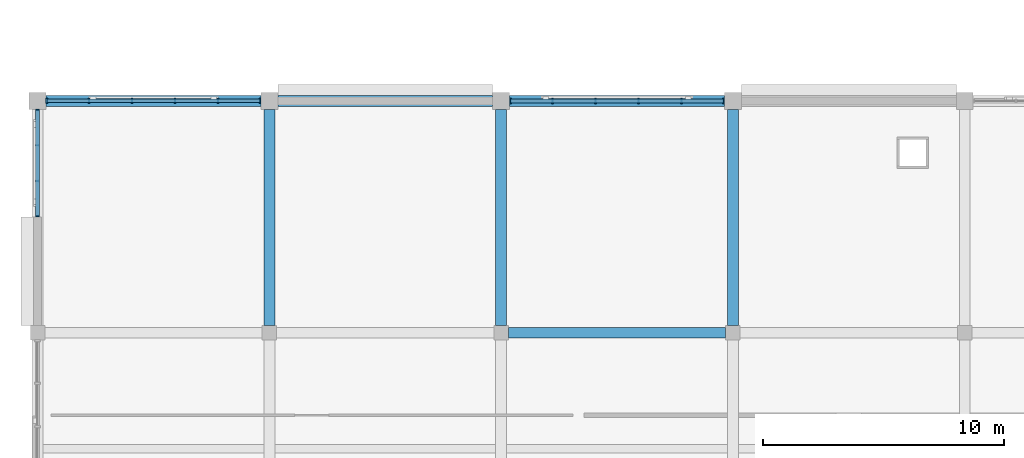
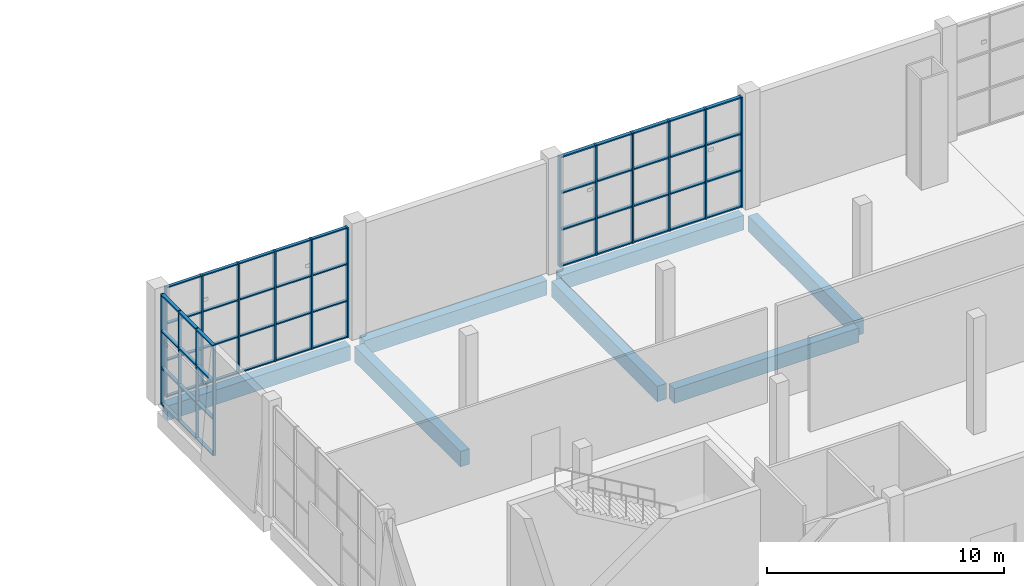
# One storey, part 4 of 84: 28 members, 7 beams, 3 elements without a shape of their own.
"""IFC4 building model written with IfcOpenShell, lengths in metres."""

from ifc_helpers import new_model, si_unit, direction, frame, origin, origin_2d, place, context, subcontext, project, spatial, rectangle, extrude, material, material_profile, profile_set, type_object, element, aggregate, save


model = new_model("IFC4")

# Units and contexts
model_context = context("Model", 3, precision=1e-05, world=origin(), true_north=direction((0.0, 1.0)))
body_context = subcontext(model_context, "Body", "Model", "MODEL_VIEW")
ifc_project = project(units=[si_unit("LENGTHUNIT", "METRE"), si_unit("AREAUNIT", "SQUARE_METRE"), si_unit("VOLUMEUNIT", "CUBIC_METRE"), si_unit("PLANEANGLEUNIT", "RADIAN"), si_unit("MASSUNIT", "GRAM", prefix="KILO")], contexts=[model_context])

# Site, building, storey
site_placement = place(None, origin())
site = spatial("IfcSite", under=ifc_project, at=site_placement, CompositionType="ELEMENT")
building_placement = place(site_placement, origin())
building = spatial("IfcBuilding", under=site, at=building_placement, Name="Shalvenor Court Art Gallery", CompositionType="ELEMENT")
storey_placement = place(building_placement, origin())
storey = spatial("IfcBuildingStorey", under=building, at=storey_placement, Name="L00", CompositionType="ELEMENT", Elevation=0.0)

# Beams
ifc_material_1 = material(Name="Concrete C40/50", Category="concrete")
ifc_material_profile_1 = material_profile(ifc_material_1, rectangle(XDim=0.449951171875, YDim=0.800048828125, at=origin_2d()), Name="RC 450x800")
ifc_profile_set_1 = profile_set([ifc_material_profile_1], Name="Concrete C40/50")
beam_type_1 = type_object("IfcBeamType", Name="B-03", PredefinedType="BEAM", material=ifc_profile_set_1)
for number, where, z_axis, x_axis, name in (
    (1, (9.60009765625, 19.5, -0.739990234375), (0.0, 1.0, 0.0), (-1.0, 0.0, 0.0), "L00 Girder BM-L00-B-03-0011"),
    (2, (19.199951171875, 19.5, -0.739990234375), (0.0, 1.0, 0.0), (-1.0, 0.0, 0.0), "L00 Girder BM-L00-B-03-0020"),
    (3, (28.800048828125, 19.5, -0.739990234375), (0.0, 1.0, 0.0), (-1.0, 0.0, 0.0), "L00 Girder BM-L00-B-03-0025"),
):
    element("IfcBeam", number, at=place(storey_placement, frame(where, z_axis=z_axis, x_axis=x_axis)), inside=storey, type_object=beam_type_1, Name=name, PredefinedType="BEAM", context=body_context, shape_type="SweptSolid", body=[
        extrude(rectangle(XDim=0.449951171875, YDim=0.800048828125, at=origin_2d()), origin(), (0.0, 0.0, 1.0), 8.949951171875),
    ])
ifc_material_2 = material(Name="Concrete C40/50", Category="concrete")
ifc_material_profile_2 = material_profile(ifc_material_2, rectangle(XDim=0.449951171875, YDim=0.75, at=origin_2d()), Name="RC 450x750")
ifc_profile_set_2 = profile_set([ifc_material_profile_2], Name="Concrete C40/50")
beam_type_2 = type_object("IfcBeamType", Name="B-04", PredefinedType="BEAM", material=ifc_profile_set_2)
beam_1_placement = place(storey_placement, frame((19.5, 19.199951171875, -0.715087890625), z_axis=(1.0, 0.0, 0.0), x_axis=(0.0, 1.0, 0.0)))
element("IfcBeam", 4, at=beam_1_placement, inside=storey, type_object=beam_type_2, Name="L00 Girder BM-L00-B-04-0159", PredefinedType="BEAM", context=body_context, shape_type="SweptSolid", body=[
    extrude(rectangle(XDim=0.449951171875, YDim=0.75, at=origin_2d()), origin(), (0.0, 0.0, 1.0), 9.0),
])
beam_2_placement = place(storey_placement, frame((0.35009765625, 28.800048828125, -0.715087890625), z_axis=(1.0, 0.0, 0.0), x_axis=(0.0, 1.0, 0.0)))
element("IfcBeam", 5, at=beam_2_placement, inside=storey, type_object=beam_type_2, Name="L00 Girder BM-L00-B-04-0170", PredefinedType="BEAM", context=body_context, shape_type="SweptSolid", body=[
    extrude(rectangle(XDim=0.449951171875, YDim=0.75, at=origin_2d()), origin(), (0.0, 0.0, 1.0), 8.89990234375),
])
beam_3_placement = place(storey_placement, frame((9.949951171875, 28.800048828125, -0.715087890625), z_axis=(1.0, 0.0, 0.0), x_axis=(0.0, 1.0, 0.0)))
element("IfcBeam", 6, at=beam_3_placement, inside=storey, type_object=beam_type_2, Name="L00 Girder BM-L00-B-04-0171", PredefinedType="BEAM", context=body_context, shape_type="SweptSolid", body=[
    extrude(rectangle(XDim=0.449951171875, YDim=0.75, at=origin_2d()), origin(), (0.0, 0.0, 1.0), 8.900146484375),
])
beam_4_placement = place(storey_placement, frame((19.550048828125, 28.800048828125, -0.715087890625), z_axis=(1.0, 0.0, 0.0), x_axis=(0.0, 1.0, 0.0)))
element("IfcBeam", 7, at=beam_4_placement, inside=storey, type_object=beam_type_2, Name="L00 Girder BM-L00-B-04-0172", PredefinedType="BEAM", context=body_context, shape_type="SweptSolid", body=[
    extrude(rectangle(XDim=0.449951171875, YDim=0.75, at=origin_2d()), origin(), (0.0, 0.0, 1.0), 8.89990234375),
])

# Curtain wall, members
ifc_material_3 = material(Name="Anodised aluminium and low-iron glass curtain wall", Category="aluminium")
curtain_wall_type_1 = type_object("IfcCurtainWallType", Name="CW-5x3-89-57-211", PredefinedType="USERDEFINED", material=ifc_material_3)
curtain_wall_1_placement = place(storey_placement, origin())
curtain_wall_1 = element("IfcCurtainWall", 8, at=curtain_wall_1_placement, inside=storey, type_object=curtain_wall_type_1, Name="L00 V4 Curtain Wall CW-L00-117", ObjectType="CURTAIN WALL", PredefinedType="USERDEFINED")
ifc_material_4 = material(Name="Anodised aluminium mullion", Category="aluminium")
ifc_material_profile_3 = material_profile(ifc_material_4, rectangle(XDim=0.070068359375, YDim=0.199951171875, at=origin_2d()), Name="CWM-02")
ifc_profile_set_3 = profile_set([ifc_material_profile_3], Name="Anodised aluminium mullion")
member_type_1 = type_object("IfcMemberType", Name="CWM-02", PredefinedType="MULLION", material=ifc_profile_set_3)
member_1_placement = place(storey_placement, frame((0.385009765625, 28.800048828125, 0.0), z_axis=(0.0, 0.0, 1.0), x_axis=(1.0, 0.0, 0.0)))
member_1 = element("IfcMember", 9, at=member_1_placement, type_object=member_type_1, Name="CW-5x3-89-57-211 mullion 1", PredefinedType="MULLION", context=body_context, shape_type="SweptSolid", body=[
    extrude(rectangle(XDim=0.070068359375, YDim=0.199951171875, at=origin_2d()), origin(), (0.0, 0.0, 1.0), 5.679931640625),
])
member_2_placement = place(storey_placement, frame((2.1298828125, 28.800048828125, 0.0), z_axis=(0.0, 0.0, 1.0), x_axis=(1.0, 0.0, 0.0)))
member_2 = element("IfcMember", 10, at=member_2_placement, type_object=member_type_1, Name="CW-5x3-89-57-211 mullion 2", PredefinedType="MULLION", context=body_context, shape_type="SweptSolid", body=[
    extrude(rectangle(XDim=0.070068359375, YDim=0.199951171875, at=origin_2d()), origin(), (0.0, 0.0, 1.0), 5.679931640625),
])
member_3_placement = place(storey_placement, frame((3.909912109375, 28.800048828125, 0.0), z_axis=(0.0, 0.0, 1.0), x_axis=(1.0, 0.0, 0.0)))
member_3 = element("IfcMember", 11, at=member_3_placement, type_object=member_type_1, Name="CW-5x3-89-57-211 mullion 3", PredefinedType="MULLION", context=body_context, shape_type="SweptSolid", body=[
    extrude(rectangle(XDim=0.070068359375, YDim=0.199951171875, at=origin_2d()), origin(), (0.0, 0.0, 1.0), 5.679931640625),
])
member_4_placement = place(storey_placement, frame((5.68994140625, 28.800048828125, 0.0), z_axis=(0.0, 0.0, 1.0), x_axis=(1.0, 0.0, 0.0)))
member_4 = element("IfcMember", 12, at=member_4_placement, type_object=member_type_1, Name="CW-5x3-89-57-211 mullion 4", PredefinedType="MULLION", context=body_context, shape_type="SweptSolid", body=[
    extrude(rectangle(XDim=0.070068359375, YDim=0.199951171875, at=origin_2d()), origin(), (0.0, 0.0, 1.0), 5.679931640625),
])
member_5_placement = place(storey_placement, frame((7.469970703125, 28.800048828125, 0.0), z_axis=(0.0, 0.0, 1.0), x_axis=(1.0, 0.0, 0.0)))
member_5 = element("IfcMember", 13, at=member_5_placement, type_object=member_type_1, Name="CW-5x3-89-57-211 mullion 5", PredefinedType="MULLION", context=body_context, shape_type="SweptSolid", body=[
    extrude(rectangle(XDim=0.070068359375, YDim=0.199951171875, at=origin_2d()), origin(), (0.0, 0.0, 1.0), 5.679931640625),
])
member_6_placement = place(storey_placement, frame((9.215087890625, 28.800048828125, 0.0), z_axis=(0.0, 0.0, 1.0), x_axis=(1.0, 0.0, 0.0)))
member_6 = element("IfcMember", 14, at=member_6_placement, type_object=member_type_1, Name="CW-5x3-89-57-211 mullion 6", PredefinedType="MULLION", context=body_context, shape_type="SweptSolid", body=[
    extrude(rectangle(XDim=0.070068359375, YDim=0.199951171875, at=origin_2d()), origin(), (0.0, 0.0, 1.0), 5.679931640625),
])

ifc_material_5 = material(Name="Anodised aluminium and low-iron glass curtain wall", Category="aluminium")
curtain_wall_type_2 = type_object("IfcCurtainWallType", Name="CW-5x3-89-57-421", PredefinedType="USERDEFINED", material=ifc_material_5)
curtain_wall_2_placement = place(storey_placement, origin())
curtain_wall_2 = element("IfcCurtainWall", 15, at=curtain_wall_2_placement, inside=storey, type_object=curtain_wall_type_2, Name="L00 V4 Curtain Wall CW-L00-118", ObjectType="CURTAIN WALL", PredefinedType="USERDEFINED")
ifc_material_6 = material(Name="Anodised aluminium mullion", Category="aluminium")
ifc_material_profile_4 = material_profile(ifc_material_6, rectangle(XDim=0.074951171875, YDim=0.219970703125, at=origin_2d()), Name="CWM-04")
ifc_profile_set_4 = profile_set([ifc_material_profile_4], Name="Anodised aluminium mullion")
member_type_2 = type_object("IfcMemberType", Name="CWM-04", PredefinedType="MULLION", material=ifc_profile_set_4)
member_7_placement = place(storey_placement, frame((19.58740234375, 28.800048828125, 0.0), z_axis=(0.0, 0.0, 1.0), x_axis=(1.0, 0.0, 0.0)))
member_7 = element("IfcMember", 16, at=member_7_placement, type_object=member_type_2, Name="CW-5x3-89-57-421 mullion 1", PredefinedType="MULLION", context=body_context, shape_type="SweptSolid", body=[
    extrude(rectangle(XDim=0.074951171875, YDim=0.219970703125, at=origin_2d()), origin(), (0.0, 0.0, 1.0), 5.679931640625),
])
member_8_placement = place(storey_placement, frame((21.330078125, 28.800048828125, 0.0), z_axis=(0.0, 0.0, 1.0), x_axis=(1.0, 0.0, 0.0)))
member_8 = element("IfcMember", 17, at=member_8_placement, type_object=member_type_2, Name="CW-5x3-89-57-421 mullion 2", PredefinedType="MULLION", context=body_context, shape_type="SweptSolid", body=[
    extrude(rectangle(XDim=0.074951171875, YDim=0.219970703125, at=origin_2d()), origin(), (0.0, 0.0, 1.0), 5.679931640625),
])
member_9_placement = place(storey_placement, frame((23.110107421875, 28.800048828125, 0.0), z_axis=(0.0, 0.0, 1.0), x_axis=(1.0, 0.0, 0.0)))
member_9 = element("IfcMember", 18, at=member_9_placement, type_object=member_type_2, Name="CW-5x3-89-57-421 mullion 3", PredefinedType="MULLION", context=body_context, shape_type="SweptSolid", body=[
    extrude(rectangle(XDim=0.074951171875, YDim=0.219970703125, at=origin_2d()), origin(), (0.0, 0.0, 1.0), 5.679931640625),
])
member_10_placement = place(storey_placement, frame((24.889892578125, 28.800048828125, 0.0), z_axis=(0.0, 0.0, 1.0), x_axis=(1.0, 0.0, 0.0)))
member_10 = element("IfcMember", 19, at=member_10_placement, type_object=member_type_2, Name="CW-5x3-89-57-421 mullion 4", PredefinedType="MULLION", context=body_context, shape_type="SweptSolid", body=[
    extrude(rectangle(XDim=0.074951171875, YDim=0.219970703125, at=origin_2d()), origin(), (0.0, 0.0, 1.0), 5.679931640625),
])
member_11_placement = place(storey_placement, frame((26.669921875, 28.800048828125, 0.0), z_axis=(0.0, 0.0, 1.0), x_axis=(1.0, 0.0, 0.0)))
member_11 = element("IfcMember", 20, at=member_11_placement, type_object=member_type_2, Name="CW-5x3-89-57-421 mullion 5", PredefinedType="MULLION", context=body_context, shape_type="SweptSolid", body=[
    extrude(rectangle(XDim=0.074951171875, YDim=0.219970703125, at=origin_2d()), origin(), (0.0, 0.0, 1.0), 5.679931640625),
])
member_12_placement = place(storey_placement, frame((28.41259765625, 28.800048828125, 0.0), z_axis=(0.0, 0.0, 1.0), x_axis=(1.0, 0.0, 0.0)))
member_12 = element("IfcMember", 21, at=member_12_placement, type_object=member_type_2, Name="CW-5x3-89-57-421 mullion 6", PredefinedType="MULLION", context=body_context, shape_type="SweptSolid", body=[
    extrude(rectangle(XDim=0.074951171875, YDim=0.219970703125, at=origin_2d()), origin(), (0.0, 0.0, 1.0), 5.679931640625),
])

ifc_material_7 = material(Name="Anodised aluminium and low-iron glass curtain wall", Category="aluminium")
curtain_wall_type_3 = type_object("IfcCurtainWallType", Name="CW-3x3-44-57-621", PredefinedType="USERDEFINED", material=ifc_material_7)
curtain_wall_3_placement = place(storey_placement, origin())
curtain_wall_3 = element("IfcCurtainWall", 22, at=curtain_wall_3_placement, inside=storey, type_object=curtain_wall_type_3, Name="L00 V4 Curtain Wall CW-L00-127", ObjectType="CURTAIN WALL", PredefinedType="USERDEFINED")
ifc_material_8 = material(Name="Anodised aluminium mullion", Category="aluminium")
ifc_material_profile_5 = material_profile(ifc_material_8, rectangle(XDim=0.054931640625, YDim=0.139892578125, at=origin_2d()), Name="CWM-06")
ifc_profile_set_5 = profile_set([ifc_material_profile_5], Name="Anodised aluminium mullion")
member_type_3 = type_object("IfcMemberType", Name="CWM-06", PredefinedType="MULLION", material=ifc_profile_set_5)
member_13_placement = place(storey_placement, frame((0.0, 24.027587890625, 0.0), z_axis=(0.0, 0.0, 1.0), x_axis=(0.0, 1.0, 0.0)))
member_13 = element("IfcMember", 23, at=member_13_placement, type_object=member_type_3, Name="CW-3x3-44-57-621 mullion 1", PredefinedType="MULLION", context=body_context, shape_type="SweptSolid", body=[
    extrude(rectangle(XDim=0.054931640625, YDim=0.139892578125, at=origin_2d()), origin(), (0.0, 0.0, 1.0), 5.679931640625),
])
member_14_placement = place(storey_placement, frame((0.0, 25.4833984375, 0.0), z_axis=(0.0, 0.0, 1.0), x_axis=(0.0, 1.0, 0.0)))
member_14 = element("IfcMember", 24, at=member_14_placement, type_object=member_type_3, Name="CW-3x3-44-57-621 mullion 2", PredefinedType="MULLION", context=body_context, shape_type="SweptSolid", body=[
    extrude(rectangle(XDim=0.054931640625, YDim=0.139892578125, at=origin_2d()), origin(), (0.0, 0.0, 1.0), 5.679931640625),
])
member_15_placement = place(storey_placement, frame((0.0, 26.966552734375, 0.0), z_axis=(0.0, 0.0, 1.0), x_axis=(0.0, 1.0, 0.0)))
member_15 = element("IfcMember", 25, at=member_15_placement, type_object=member_type_3, Name="CW-3x3-44-57-621 mullion 3", PredefinedType="MULLION", context=body_context, shape_type="SweptSolid", body=[
    extrude(rectangle(XDim=0.054931640625, YDim=0.139892578125, at=origin_2d()), origin(), (0.0, 0.0, 1.0), 5.679931640625),
])
member_16_placement = place(storey_placement, frame((0.0, 28.422607421875, 0.0), z_axis=(0.0, 0.0, 1.0), x_axis=(0.0, 1.0, 0.0)))
member_16 = element("IfcMember", 26, at=member_16_placement, type_object=member_type_3, Name="CW-3x3-44-57-621 mullion 4", PredefinedType="MULLION", context=body_context, shape_type="SweptSolid", body=[
    extrude(rectangle(XDim=0.054931640625, YDim=0.139892578125, at=origin_2d()), origin(), (0.0, 0.0, 1.0), 5.679931640625),
])

# Member
ifc_material_9 = material(Name="Anodised aluminium transom", Category="aluminium")
ifc_material_profile_6 = material_profile(ifc_material_9, rectangle(XDim=0.14990234375, YDim=0.06005859375, at=origin_2d()), Name="CWT-01")
ifc_profile_set_6 = profile_set([ifc_material_profile_6], Name="Anodised aluminium transom")
member_type_4 = type_object("IfcMemberType", Name="CWT-01", PredefinedType="USERDEFINED", material=ifc_profile_set_6)
member_17_placement = place(storey_placement, frame((0.385009765625, 28.800048828125, 0.030029296875), z_axis=(1.0, 0.0, 0.0), x_axis=(0.0, 1.0, 0.0)))
member_17 = element("IfcMember", 27, at=member_17_placement, type_object=member_type_4, Name="CW-5x3-89-57-211 transom 1", ObjectType="TRANSOM", PredefinedType="USERDEFINED", context=body_context, shape_type="SweptSolid", body=[
    extrude(rectangle(XDim=0.14990234375, YDim=0.06005859375, at=origin_2d()), origin(), (0.0, 0.0, 1.0), 8.830078125),
])

member_18_placement = place(storey_placement, frame((0.385009765625, 28.800048828125, 1.893310546875), z_axis=(1.0, 0.0, 0.0), x_axis=(0.0, 1.0, 0.0)))
member_18 = element("IfcMember", 28, at=member_18_placement, type_object=member_type_4, Name="CW-5x3-89-57-211 transom 2", ObjectType="TRANSOM", PredefinedType="USERDEFINED", context=body_context, shape_type="SweptSolid", body=[
    extrude(rectangle(XDim=0.14990234375, YDim=0.06005859375, at=origin_2d()), origin(), (0.0, 0.0, 1.0), 8.830078125),
])

member_19_placement = place(storey_placement, frame((0.385009765625, 28.800048828125, 3.78662109375), z_axis=(1.0, 0.0, 0.0), x_axis=(0.0, 1.0, 0.0)))
member_19 = element("IfcMember", 29, at=member_19_placement, type_object=member_type_4, Name="CW-5x3-89-57-211 transom 3", ObjectType="TRANSOM", PredefinedType="USERDEFINED", context=body_context, shape_type="SweptSolid", body=[
    extrude(rectangle(XDim=0.14990234375, YDim=0.06005859375, at=origin_2d()), origin(), (0.0, 0.0, 1.0), 8.830078125),
])

member_20_placement = place(storey_placement, frame((0.385009765625, 28.800048828125, 5.64990234375), z_axis=(1.0, 0.0, 0.0), x_axis=(0.0, 1.0, 0.0)))
member_20 = element("IfcMember", 30, at=member_20_placement, type_object=member_type_4, Name="CW-5x3-89-57-211 transom 4", ObjectType="TRANSOM", PredefinedType="USERDEFINED", context=body_context, shape_type="SweptSolid", body=[
    extrude(rectangle(XDim=0.14990234375, YDim=0.06005859375, at=origin_2d()), origin(), (0.0, 0.0, 1.0), 8.830078125),
])

aggregate(curtain_wall_1, [member_1, member_2, member_3, member_4, member_5, member_6, member_17, member_18, member_19, member_20])

ifc_material_10 = material(Name="Anodised aluminium transom", Category="aluminium")
ifc_material_profile_7 = material_profile(ifc_material_10, rectangle(XDim=0.169921875, YDim=0.06494140625, at=origin_2d()), Name="CWT-02")
ifc_profile_set_7 = profile_set([ifc_material_profile_7], Name="Anodised aluminium transom")
member_type_5 = type_object("IfcMemberType", Name="CWT-02", PredefinedType="USERDEFINED", material=ifc_profile_set_7)
member_21_placement = place(storey_placement, frame((19.58740234375, 28.800048828125, 0.032470703125), z_axis=(1.0, 0.0, 0.0), x_axis=(0.0, 1.0, 0.0)))
member_21 = element("IfcMember", 31, at=member_21_placement, type_object=member_type_5, Name="CW-5x3-89-57-421 transom 1", ObjectType="TRANSOM", PredefinedType="USERDEFINED", context=body_context, shape_type="SweptSolid", body=[
    extrude(rectangle(XDim=0.169921875, YDim=0.06494140625, at=origin_2d()), origin(), (0.0, 0.0, 1.0), 8.8251953125),
])

member_22_placement = place(storey_placement, frame((19.58740234375, 28.800048828125, 1.893310546875), z_axis=(1.0, 0.0, 0.0), x_axis=(0.0, 1.0, 0.0)))
member_22 = element("IfcMember", 32, at=member_22_placement, type_object=member_type_5, Name="CW-5x3-89-57-421 transom 2", ObjectType="TRANSOM", PredefinedType="USERDEFINED", context=body_context, shape_type="SweptSolid", body=[
    extrude(rectangle(XDim=0.169921875, YDim=0.06494140625, at=origin_2d()), origin(), (0.0, 0.0, 1.0), 8.8251953125),
])

member_23_placement = place(storey_placement, frame((19.58740234375, 28.800048828125, 3.78662109375), z_axis=(1.0, 0.0, 0.0), x_axis=(0.0, 1.0, 0.0)))
member_23 = element("IfcMember", 33, at=member_23_placement, type_object=member_type_5, Name="CW-5x3-89-57-421 transom 3", ObjectType="TRANSOM", PredefinedType="USERDEFINED", context=body_context, shape_type="SweptSolid", body=[
    extrude(rectangle(XDim=0.169921875, YDim=0.06494140625, at=origin_2d()), origin(), (0.0, 0.0, 1.0), 8.8251953125),
])

member_24_placement = place(storey_placement, frame((19.58740234375, 28.800048828125, 5.6474609375), z_axis=(1.0, 0.0, 0.0), x_axis=(0.0, 1.0, 0.0)))
member_24 = element("IfcMember", 34, at=member_24_placement, type_object=member_type_5, Name="CW-5x3-89-57-421 transom 4", ObjectType="TRANSOM", PredefinedType="USERDEFINED", context=body_context, shape_type="SweptSolid", body=[
    extrude(rectangle(XDim=0.169921875, YDim=0.06494140625, at=origin_2d()), origin(), (0.0, 0.0, 1.0), 8.8251953125),
])

aggregate(curtain_wall_2, [member_7, member_8, member_9, member_10, member_11, member_12, member_21, member_22, member_23, member_24])

member_25_placement = place(storey_placement, frame((0.0, 24.027587890625, 0.032470703125), z_axis=(0.0, 1.0, 0.0), x_axis=(-1.0, 0.0, 0.0)))
member_25 = element("IfcMember", 35, at=member_25_placement, type_object=member_type_5, Name="CW-3x3-44-57-621 transom 1", ObjectType="TRANSOM", PredefinedType="USERDEFINED", context=body_context, shape_type="SweptSolid", body=[
    extrude(rectangle(XDim=0.169921875, YDim=0.06494140625, at=origin_2d()), origin(), (0.0, 0.0, 1.0), 4.39501953125),
])

member_26_placement = place(storey_placement, frame((0.0, 24.027587890625, 1.893310546875), z_axis=(0.0, 1.0, 0.0), x_axis=(-1.0, 0.0, 0.0)))
member_26 = element("IfcMember", 36, at=member_26_placement, type_object=member_type_5, Name="CW-3x3-44-57-621 transom 2", ObjectType="TRANSOM", PredefinedType="USERDEFINED", context=body_context, shape_type="SweptSolid", body=[
    extrude(rectangle(XDim=0.169921875, YDim=0.06494140625, at=origin_2d()), origin(), (0.0, 0.0, 1.0), 4.39501953125),
])

member_27_placement = place(storey_placement, frame((0.0, 24.027587890625, 3.78662109375), z_axis=(0.0, 1.0, 0.0), x_axis=(-1.0, 0.0, 0.0)))
member_27 = element("IfcMember", 37, at=member_27_placement, type_object=member_type_5, Name="CW-3x3-44-57-621 transom 3", ObjectType="TRANSOM", PredefinedType="USERDEFINED", context=body_context, shape_type="SweptSolid", body=[
    extrude(rectangle(XDim=0.169921875, YDim=0.06494140625, at=origin_2d()), origin(), (0.0, 0.0, 1.0), 4.39501953125),
])

member_28_placement = place(storey_placement, frame((0.0, 24.027587890625, 5.6474609375), z_axis=(0.0, 1.0, 0.0), x_axis=(-1.0, 0.0, 0.0)))
member_28 = element("IfcMember", 38, at=member_28_placement, type_object=member_type_5, Name="CW-3x3-44-57-621 transom 4", ObjectType="TRANSOM", PredefinedType="USERDEFINED", context=body_context, shape_type="SweptSolid", body=[
    extrude(rectangle(XDim=0.169921875, YDim=0.06494140625, at=origin_2d()), origin(), (0.0, 0.0, 1.0), 4.39501953125),
])

aggregate(curtain_wall_3, [member_13, member_14, member_15, member_16, member_25, member_26, member_27, member_28])

save(model, "model.ifc")
